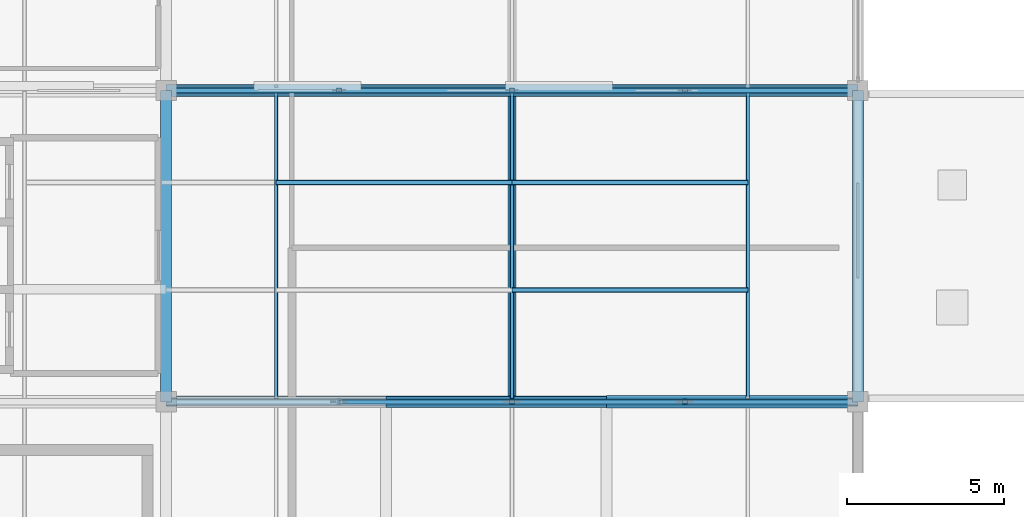
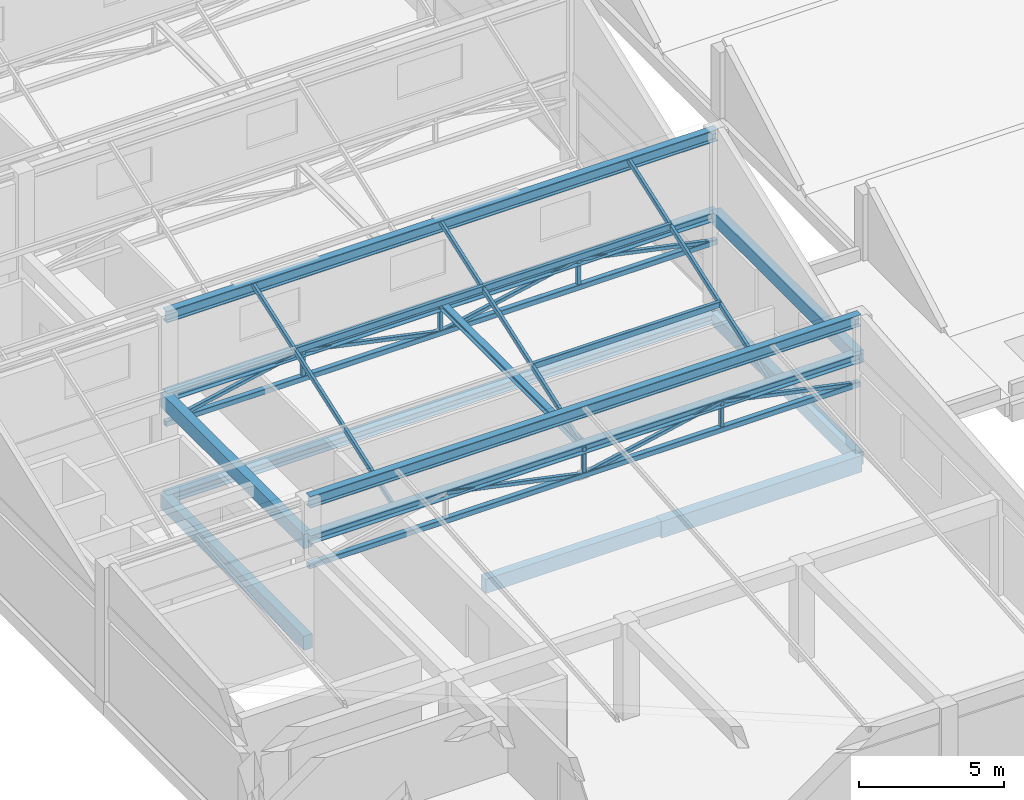
# One storey, part 4 of 35: 20 members, 12 beams.
"""IFC4 building model written with IfcOpenShell, lengths in metres."""

from ifc_helpers import new_model, si_unit, direction, frame, origin, origin_2d, place, context, subcontext, project, spatial, rectangle, hollow_rectangle, i_section, extrude, material, material_profile, profile_set, type_object, element, save


model = new_model("IFC4")

# Units and contexts
model_context = context("Model", 3, precision=1e-05, world=origin(), true_north=direction((0.0, 1.0)))
body_context = subcontext(model_context, "Body", "Model", "MODEL_VIEW")
ifc_project = project(units=[si_unit("LENGTHUNIT", "METRE"), si_unit("AREAUNIT", "SQUARE_METRE"), si_unit("VOLUMEUNIT", "CUBIC_METRE"), si_unit("PLANEANGLEUNIT", "RADIAN"), si_unit("MASSUNIT", "GRAM", prefix="KILO")], contexts=[model_context])

# Site, building, storey
site_placement = place(None, origin())
site = spatial("IfcSite", under=ifc_project, at=site_placement, CompositionType="ELEMENT")
building_placement = place(site_placement, origin())
building = spatial("IfcBuilding", under=site, at=building_placement, Name="Sillaruma Civic Art Gallery", CompositionType="ELEMENT")
storey_placement = place(building_placement, frame((0.0, 0.0, 74.4599609375)))
storey = spatial("IfcBuildingStorey", under=building, at=storey_placement, Name="L15", CompositionType="ELEMENT", Elevation=74.4599609375)

# Beams
ifc_material_1 = material(Name="Concrete H35 (35 MPa)", Category="concrete")
ifc_material_profile_1 = material_profile(ifc_material_1, rectangle(XDim=0.35009765625, YDim=0.60009765625, at=origin_2d()), Name="RCB350x600")
ifc_profile_set_1 = profile_set([ifc_material_profile_1], Name="Concrete H35 (35 MPa)")
beam_type_1 = type_object("IfcBeamType", Name="BM-BEAM-RCB350x600", PredefinedType="BEAM", material=ifc_profile_set_1)
beam_1_placement = place(storey_placement, frame((77.0, 39.60009765625, -0.550048828125), z_axis=(1.0, 0.0, 0.0), x_axis=(0.0, 1.0, 0.0)))
element("IfcBeam", 1, at=beam_1_placement, inside=storey, type_object=beam_type_1, Name="Beam BM-06 (L14:5:H-J)", PredefinedType="BEAM", context=body_context, shape_type="SweptSolid", body=[
    extrude(rectangle(XDim=0.35009765625, YDim=0.60009765625, at=origin_2d()), origin(), (0.0, 0.0, 1.0), 7.0),
])
beam_2_placement = place(storey_placement, frame((70.0, 39.60009765625, -0.550048828125), z_axis=(0.0, 1.0, 0.0), x_axis=(-1.0, 0.0, 0.0)))
element("IfcBeam", 2, at=beam_2_placement, inside=storey, type_object=beam_type_1, Name="Beam BM-06 (L14:G:5-6)", PredefinedType="BEAM", context=body_context, shape_type="SweptSolid", body=[
    extrude(rectangle(XDim=0.35009765625, YDim=0.60009765625, at=origin_2d()), origin(), (0.0, 0.0, 1.0), 9.89990234375),
])
ifc_material_profile_2 = material_profile(ifc_material_1, rectangle(XDim=0.39990234375, YDim=0.699951171875, at=origin_2d()), Name="RCB400x700")
ifc_profile_set_2 = profile_set([ifc_material_profile_2], Name="Concrete H35 (35 MPa)")
beam_type_2 = type_object("IfcBeamType", Name="BM-BEAM-RCB400x700", PredefinedType="BEAM", material=ifc_profile_set_2)
beam_3_placement = place(storey_placement, frame((84.0, 39.60009765625, -0.599853515625), z_axis=(1.0, 0.0, 0.0), x_axis=(0.0, 1.0, 0.0)))
element("IfcBeam", 3, at=beam_3_placement, inside=storey, type_object=beam_type_2, Name="Beam BM-04 (L14:5:J-K)", PredefinedType="BEAM", context=body_context, shape_type="SweptSolid", body=[
    extrude(rectangle(XDim=0.39990234375, YDim=0.699951171875, at=origin_2d()), origin(), (0.0, 0.0, 1.0), 8.0),
])
ifc_material_2 = material(Name="Structural Steel ASTM A992 Gr.50", Category="steel")
ifc_material_profile_3 = material_profile(ifc_material_2, i_section(OverallWidth=0.256103515625, OverallDepth=0.260009765625, WebThickness=0.0107421875, FlangeThickness=0.017333984375, FilletRadius=0.012939453125, at=origin_2d()), Name="W250x89")
ifc_profile_set_3 = profile_set([ifc_material_profile_3], Name="Structural Steel ASTM A992 Gr.50")
beam_type_3 = type_object("IfcBeamType", Name="BM-RJOIST-W250x89", PredefinedType="JOIST", material=ifc_profile_set_3)
beam_4_placement = place(storey_placement, frame((81.0, 39.785400390625, 3.91015625), z_axis=(0.0, 1.0, 0.0), x_axis=(-1.0, 0.0, 0.0)))
element("IfcBeam", 4, at=beam_4_placement, inside=storey, type_object=beam_type_3, Name="Long-Span Gallery Joist JSR-04 (L15:5-6)", PredefinedType="JOIST", context=body_context, shape_type="SweptSolid", body=[
    extrude(i_section(OverallWidth=0.256103515625, OverallDepth=0.260009765625, WebThickness=0.0107421875, FlangeThickness=0.017333984375, FilletRadius=0.012939453125, at=origin_2d()), origin(), (0.0, 0.0, 1.0), 9.529052734375),
])
ifc_material_profile_4 = material_profile(ifc_material_1, rectangle(XDim=0.35009765625, YDim=0.550048828125, at=origin_2d()), Name="RCB350x550")
ifc_profile_set_4 = profile_set([ifc_material_profile_4], Name="Concrete H35 (35 MPa)")
beam_type_4 = type_object("IfcBeamType", Name="BM-ROF-RCB350x550", PredefinedType="SPANDREL", material=ifc_profile_set_4)
beam_5_placement = place(storey_placement, frame((92.0, 39.60009765625, 3.76513671875), z_axis=(0.0, 1.0, 0.0), x_axis=(-1.0, 0.0, 0.0)))
element("IfcBeam", 5, at=beam_5_placement, inside=storey, type_object=beam_type_4, Name="Beam BSR-04 (L15:K:5-6)", PredefinedType="SPANDREL", context=body_context, shape_type="SweptSolid", body=[
    extrude(rectangle(XDim=0.35009765625, YDim=0.550048828125, at=origin_2d()), origin(), (0.0, 0.0, 1.0), 9.89990234375),
])
ifc_material_profile_5 = material_profile(ifc_material_1, rectangle(XDim=0.35009765625, YDim=0.60009765625, at=origin_2d()), Name="RCB350x600")
ifc_profile_set_5 = profile_set([ifc_material_profile_5], Name="Concrete H35 (35 MPa)")
beam_type_5 = type_object("IfcBeamType", Name="BM-ROF-RCB350x600", PredefinedType="BEAM", material=ifc_profile_set_5)
beam_6_placement = place(storey_placement, frame((70.0, 39.60009765625, 3.739990234375), z_axis=(0.0, 1.0, 0.0), x_axis=(-1.0, 0.0, 0.0)))
element("IfcBeam", 6, at=beam_6_placement, inside=storey, type_object=beam_type_5, Name="Beam BRF-06 (L15:G:5-6)", PredefinedType="BEAM", context=body_context, shape_type="SweptSolid", body=[
    extrude(rectangle(XDim=0.35009765625, YDim=0.60009765625, at=origin_2d()), origin(), (0.0, 0.0, 1.0), 9.89990234375),
])
ifc_material_profile_6 = material_profile(ifc_material_2, i_section(OverallWidth=0.282958984375, OverallDepth=0.489013671875, WebThickness=0.01708984375, FlangeThickness=0.030517578125, FilletRadius=0.014892578125, at=origin_2d()), Name="W460x193")
ifc_profile_set_6 = profile_set([ifc_material_profile_6], Name="Structural Steel ASTM A992 Gr.50")
beam_type_6 = type_object("IfcBeamType", Name="BM-SAW-W460x193", PredefinedType="BEAM", material=ifc_profile_set_6)
for number, where, z_axis, x_axis, name in (
    (7, (70.0, 39.60009765625, 5.419921875), (1.0, 0.0, 0.0), (0.0, 1.0, 0.0), "Crown Ridge Steel Girder (S)"),
    (8, (70.0, 49.5, 7.239990234375), (1.0, 0.0, 0.0), (0.0, 1.0, 0.0), "Sawtooth Ridge Steel Girder (1)"),
):
    element("IfcBeam", number, at=place(storey_placement, frame(where, z_axis=z_axis, x_axis=x_axis)), inside=storey, type_object=beam_type_6, Name=name, PredefinedType="BEAM", context=body_context, shape_type="SweptSolid", body=[
        extrude(i_section(OverallWidth=0.282958984375, OverallDepth=0.489013671875, WebThickness=0.01708984375, FlangeThickness=0.030517578125, FilletRadius=0.014892578125, at=origin_2d()), origin(), (0.0, 0.0, 1.0), 22.0),
    ])
ifc_material_profile_7 = material_profile(ifc_material_1, rectangle(XDim=0.35009765625, YDim=0.550048828125, at=origin_2d()), Name="RCB350x550")
ifc_profile_set_7 = profile_set([ifc_material_profile_7], Name="Concrete H35 (35 MPa)")
beam_type_7 = type_object("IfcBeamType", Name="BM-SPANDREL-RCB350x550", PredefinedType="SPANDREL", material=ifc_profile_set_7)
beam_7_placement = place(storey_placement, frame((92.0, 39.60009765625, -0.52490234375), z_axis=(0.0, 1.0, 0.0), x_axis=(-1.0, 0.0, 0.0)))
element("IfcBeam", 9, at=beam_7_placement, inside=storey, type_object=beam_type_7, Name="Beam BS-04 (L14:K:5-6)", PredefinedType="SPANDREL", context=body_context, shape_type="SweptSolid", body=[
    extrude(rectangle(XDim=0.35009765625, YDim=0.550048828125, at=origin_2d()), origin(), (0.0, 0.0, 1.0), 9.89990234375),
])
ifc_material_profile_8 = material_profile(ifc_material_2, i_section(OverallWidth=0.37109375, OverallDepth=0.364013671875, WebThickness=0.01318359375, FlangeThickness=0.021728515625, FilletRadius=0.014892578125, at=origin_2d()), Name="W360x162")
ifc_profile_set_8 = profile_set([ifc_material_profile_8], Name="Structural Steel ASTM A992 Gr.50")
beam_type_8 = type_object("IfcBeamType", Name="BM-TRROF-W360x162", PredefinedType="BEAM", material=ifc_profile_set_8)
for number, where, z_axis, x_axis, name in (
    (10, (70.0, 39.60009765625, 3.858154296875), (1.0, 0.0, 0.0), (0.0, 1.0, 0.0), "Warren Truss Top Chord TR-L15-1"),
    (11, (70.0, 49.5, 3.858154296875), (1.0, 0.0, 0.0), (0.0, 1.0, 0.0), "Warren Truss Top Chord TR-L15-2"),
):
    element("IfcBeam", number, at=place(storey_placement, frame(where, z_axis=z_axis, x_axis=x_axis)), inside=storey, type_object=beam_type_8, Name=name, PredefinedType="BEAM", context=body_context, shape_type="SweptSolid", body=[
        extrude(i_section(OverallWidth=0.37109375, OverallDepth=0.364013671875, WebThickness=0.01318359375, FlangeThickness=0.021728515625, FilletRadius=0.014892578125, at=origin_2d()), origin(), (0.0, 0.0, 1.0), 22.0),
    ])
ifc_material_profile_9 = material_profile(ifc_material_2, i_section(OverallWidth=0.37109375, OverallDepth=0.364013671875, WebThickness=0.01318359375, FlangeThickness=0.021728515625, FilletRadius=0.014892578125, at=origin_2d()), Name="W360x162")
ifc_profile_set_9 = profile_set([ifc_material_profile_9], Name="Structural Steel ASTM A992 Gr.50")
beam_type_9 = type_object("IfcBeamType", Name="BM-TRTOP-W360x162", PredefinedType="BEAM", material=ifc_profile_set_9)
beam_8_placement = place(storey_placement, frame((70.0, 49.5, -0.431884765625), z_axis=(1.0, 0.0, 0.0), x_axis=(0.0, 1.0, 0.0)))
element("IfcBeam", 12, at=beam_8_placement, inside=storey, type_object=beam_type_9, Name="Warren Truss Top Chord TR-L14-1", PredefinedType="BEAM", context=body_context, shape_type="SweptSolid", body=[
    extrude(i_section(OverallWidth=0.37109375, OverallDepth=0.364013671875, WebThickness=0.01318359375, FlangeThickness=0.021728515625, FilletRadius=0.014892578125, at=origin_2d()), origin(), (0.0, 0.0, 1.0), 22.0),
])

# Members
ifc_material_3 = material(Name="Structural Steel ASTM A500 Gr.C", Category="steel")
ifc_material_profile_10 = material_profile(ifc_material_3, hollow_rectangle(XDim=0.14990234375, YDim=0.14990234375, WallThickness=0.010009765625, InnerFilletRadius=0.010009765625, OuterFilletRadius=0.02001953125, at=origin_2d()), Name="HSS150x150x10")
ifc_profile_set_10 = profile_set([ifc_material_profile_10], Name="Structural Steel ASTM A500 Gr.C")
member_type_1 = type_object("IfcMemberType", Name="MEM-BRACE-HSS150x150x10", PredefinedType="BRACE", material=ifc_profile_set_10)
for number, where, z_axis, x_axis, name in (
    (13, (75.5, 39.60009765625, 3.858154296875), (0.978538722809, 0.0, -0.206063019398), (0.0, 1.0, 0.0), "Warren Truss Diagonal TR-L15-1-D2"),
    (14, (81.0, 39.60009765625, 2.699951171875), (0.978538722809, 0.0, 0.206063019398), (0.0, 1.0, 0.0), "Warren Truss Diagonal TR-L15-1-D3"),
    (15, (86.5, 39.60009765625, 3.858154296875), (0.978538722809, 0.0, -0.206063019398), (0.0, 1.0, 0.0), "Warren Truss Diagonal TR-L15-1-D4"),
    (16, (70.0, 49.5, 2.699951171875), (0.978538722809, 0.0, 0.206063019398), (0.0, 1.0, 0.0), "Warren Truss Diagonal TR-L15-2-D1"),
    (17, (75.5, 49.5, 3.858154296875), (0.978538722809, 0.0, -0.206063019398), (0.0, 1.0, 0.0), "Warren Truss Diagonal TR-L15-2-D2"),
    (18, (81.0, 49.5, 2.699951171875), (0.978538722809, 0.0, 0.206063019398), (0.0, 1.0, 0.0), "Warren Truss Diagonal TR-L15-2-D3"),
    (19, (86.5, 49.5, 3.858154296875), (0.978538722809, 0.0, -0.206063019398), (0.0, 1.0, 0.0), "Warren Truss Diagonal TR-L15-2-D4"),
):
    element("IfcMember", number, at=place(storey_placement, frame(where, z_axis=z_axis, x_axis=x_axis)), inside=storey, type_object=member_type_1, Name=name, PredefinedType="BRACE", context=body_context, shape_type="SweptSolid", body=[
        extrude(hollow_rectangle(XDim=0.14990234375, YDim=0.14990234375, WallThickness=0.010009765625, InnerFilletRadius=0.010009765625, OuterFilletRadius=0.02001953125, at=origin_2d()), origin(), (0.0, 0.0, 1.0), 5.62060546875),
    ])
ifc_material_profile_11 = material_profile(ifc_material_3, hollow_rectangle(XDim=0.219970703125, YDim=0.219970703125, WallThickness=0.012451171875, InnerFilletRadius=0.012451171875, OuterFilletRadius=0.02490234375, at=origin_2d()), Name="HSS220x220x12.5")
ifc_profile_set_11 = profile_set([ifc_material_profile_11], Name="Structural Steel ASTM A500 Gr.C")
member_type_2 = type_object("IfcMemberType", Name="MEM-CHORD-HSS220x220x12.5", PredefinedType="CHORD", material=ifc_profile_set_11)
for number, where, z_axis, x_axis, name in (
    (20, (70.0, 39.60009765625, 2.699951171875), (1.0, 0.0, 0.0), (0.0, 1.0, 0.0), "Warren Truss Bottom Chord TR-L15-1"),
    (21, (70.0, 49.5, 2.699951171875), (1.0, 0.0, 0.0), (0.0, 1.0, 0.0), "Warren Truss Bottom Chord TR-L15-2"),
):
    element("IfcMember", number, at=place(storey_placement, frame(where, z_axis=z_axis, x_axis=x_axis)), inside=storey, type_object=member_type_2, Name=name, PredefinedType="CHORD", context=body_context, shape_type="SweptSolid", body=[
        extrude(hollow_rectangle(XDim=0.219970703125, YDim=0.219970703125, WallThickness=0.012451171875, InnerFilletRadius=0.012451171875, OuterFilletRadius=0.02490234375, at=origin_2d()), origin(), (0.0, 0.0, 1.0), 22.0),
    ])
ifc_material_profile_12 = material_profile(ifc_material_3, hollow_rectangle(XDim=0.14990234375, YDim=0.14990234375, WallThickness=0.010009765625, InnerFilletRadius=0.010009765625, OuterFilletRadius=0.02001953125, at=origin_2d()), Name="HSS150x150x10")
ifc_profile_set_12 = profile_set([ifc_material_profile_12], Name="Structural Steel ASTM A500 Gr.C")
member_type_3 = type_object("IfcMemberType", Name="MEM-POST-HSS150x150x10", PredefinedType="POST", material=ifc_profile_set_12)
for number, where, z_axis, x_axis, name in (
    (22, (81.0, 39.60009765625, 2.699951171875), (0.0, 0.0, 1.0), (1.0, 0.0, 0.0), "Warren Truss Vertical Post TR-L15-1-V2"),
    (23, (86.5, 39.60009765625, 2.699951171875), (0.0, 0.0, 1.0), (1.0, 0.0, 0.0), "Warren Truss Vertical Post TR-L15-1-V3"),
    (24, (75.5, 49.5, 2.699951171875), (0.0, 0.0, 1.0), (1.0, 0.0, 0.0), "Warren Truss Vertical Post TR-L15-2-V1"),
    (25, (81.0, 49.5, 2.699951171875), (0.0, 0.0, 1.0), (1.0, 0.0, 0.0), "Warren Truss Vertical Post TR-L15-2-V2"),
    (26, (86.5, 49.5, 2.699951171875), (0.0, 0.0, 1.0), (1.0, 0.0, 0.0), "Warren Truss Vertical Post TR-L15-2-V3"),
):
    element("IfcMember", number, at=place(storey_placement, frame(where, z_axis=z_axis, x_axis=x_axis)), inside=storey, type_object=member_type_3, Name=name, PredefinedType="POST", context=body_context, shape_type="SweptSolid", body=[
        extrude(hollow_rectangle(XDim=0.14990234375, YDim=0.14990234375, WallThickness=0.010009765625, InnerFilletRadius=0.010009765625, OuterFilletRadius=0.02001953125, at=origin_2d()), origin(), (0.0, 0.0, 1.0), 1.158203125),
    ])
ifc_material_profile_13 = material_profile(ifc_material_3, hollow_rectangle(XDim=0.14990234375, YDim=0.25, WallThickness=0.010009765625, InnerFilletRadius=0.010009765625, OuterFilletRadius=0.02001953125, at=origin_2d()), Name="HSS250x150x10")
ifc_profile_set_13 = profile_set([ifc_material_profile_13], Name="Structural Steel ASTM A500 Gr.C")
member_type_4 = type_object("IfcMemberType", Name="MEM-PUR-HSS250", PredefinedType="PURLIN", material=ifc_profile_set_13)
for number, where, z_axis, x_axis, name in (
    (27, (81.0, 43.156005859375, 5.111083984375), (1.0, 0.0, 0.0), (0.0, 1.0, 0.0), "Sawtooth Roof Steel Purlin (1.1.3)"),
    (28, (73.5, 46.572021484375, 6.322021484375), (1.0, 0.0, 0.0), (0.0, 1.0, 0.0), "Sawtooth Roof Steel Purlin (1.2.2)"),
    (29, (81.0, 46.572021484375, 6.322021484375), (1.0, 0.0, 0.0), (0.0, 1.0, 0.0), "Sawtooth Roof Steel Purlin (1.2.3)"),
):
    element("IfcMember", number, at=place(storey_placement, frame(where, z_axis=z_axis, x_axis=x_axis)), inside=storey, type_object=member_type_4, Name=name, PredefinedType="PURLIN", context=body_context, shape_type="SweptSolid", body=[
        extrude(hollow_rectangle(XDim=0.14990234375, YDim=0.25, WallThickness=0.010009765625, InnerFilletRadius=0.010009765625, OuterFilletRadius=0.02001953125, at=origin_2d()), origin(), (0.0, 0.0, 1.0), 7.5),
    ])
ifc_material_profile_14 = material_profile(ifc_material_3, hollow_rectangle(XDim=0.1201171875, YDim=0.199951171875, WallThickness=0.008056640625, InnerFilletRadius=0.008056640625, OuterFilletRadius=0.01611328125, at=origin_2d()), Name="HSS200x120x8")
ifc_profile_set_14 = profile_set([ifc_material_profile_14], Name="Structural Steel ASTM A500 Gr.C")
member_type_5 = type_object("IfcMemberType", Name="MEM-RAF-HSS200", PredefinedType="PURLIN", material=ifc_profile_set_14)
for number, where, z_axis, x_axis, name in (
    (30, (73.5, 39.739990234375, 3.900146484375), (0.0, 0.942527174953, 0.33412950255), (-1.0, 0.0, 0.0), "Sawtooth Sloped Steel Rafter (1-W)"),
    (31, (81.0, 39.739990234375, 3.900146484375), (0.0, 0.942527174953, 0.33412950255), (-1.0, 0.0, 0.0), "Sawtooth Sloped Steel Rafter (1-C)"),
    (32, (88.5, 39.739990234375, 3.900146484375), (0.0, 0.942527174953, 0.33412950255), (-1.0, 0.0, 0.0), "Sawtooth Sloped Steel Rafter (1-E)"),
):
    element("IfcMember", number, at=place(storey_placement, frame(where, z_axis=z_axis, x_axis=x_axis)), inside=storey, type_object=member_type_5, Name=name, PredefinedType="PURLIN", context=body_context, shape_type="SweptSolid", body=[
        extrude(hollow_rectangle(XDim=0.1201171875, YDim=0.199951171875, WallThickness=0.008056640625, InnerFilletRadius=0.008056640625, OuterFilletRadius=0.01611328125, at=origin_2d()), origin(), (0.0, 0.0, 1.0), 10.355224609375),
    ])

save(model, "model.ifc")
